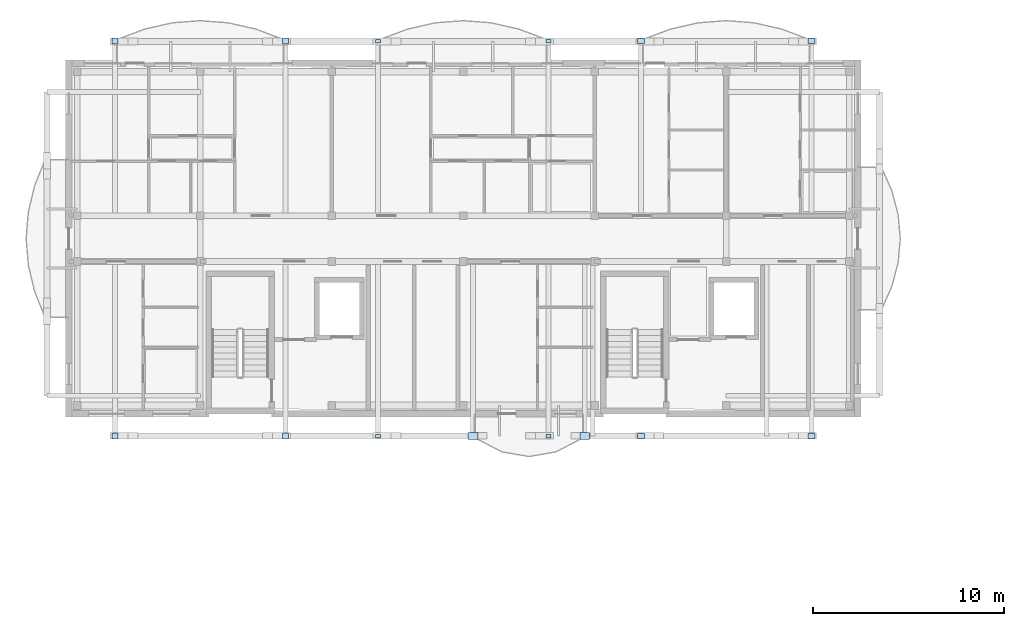
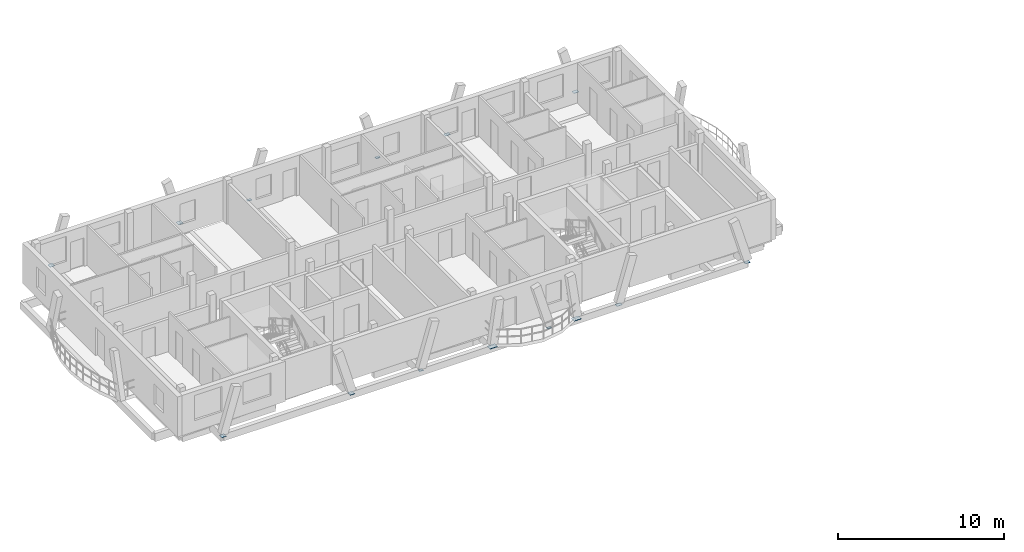
# One storey, part 8 of 29: 14 plates.
"""IFC4 building model written with IfcOpenShell, lengths in metres."""

from ifc_helpers import new_model, si_unit, direction, frame, origin, origin_2d, place, context, subcontext, project, spatial, rectangle, extrude, material, layer, layer_set, type_object, element, save


model = new_model("IFC4")

# Units and contexts
model_context = context("Model", 3, precision=1e-05, world=origin(), true_north=direction((0.0, 1.0)))
body_context = subcontext(model_context, "Body", "Model", "MODEL_VIEW")
ifc_project = project(units=[si_unit("LENGTHUNIT", "METRE"), si_unit("AREAUNIT", "SQUARE_METRE"), si_unit("VOLUMEUNIT", "CUBIC_METRE"), si_unit("PLANEANGLEUNIT", "RADIAN"), si_unit("MASSUNIT", "GRAM", prefix="KILO")], contexts=[model_context])

# Site, building, storey
site_placement = place(None, origin())
site = spatial("IfcSite", under=ifc_project, at=site_placement, CompositionType="ELEMENT")
building_placement = place(site_placement, origin())
building = spatial("IfcBuilding", under=site, at=building_placement, Name="Zavelmont Quarter", CompositionType="ELEMENT")
storey_placement = place(building_placement, frame((0.0, 0.0, 33.60009765625)))
storey = spatial("IfcBuildingStorey", under=building, at=storey_placement, Name="L10", CompositionType="ELEMENT", Elevation=33.60009765625)

# Plates
ifc_material = material(Name="Steel S355", Category="steel")
ifc_layer_1 = layer(ifc_material, 0.02001953125)
ifc_layer_set_1 = layer_set([ifc_layer_1], Name="Steel S355")
plate_type_1 = type_object("IfcPlateType", Name="NP01", PredefinedType="SHEET", material=ifc_layer_set_1)
for number, where, z_axis, x_axis, name in (
    (1, (16.2255859375, 117.162109375, -0.210205078125), (0.0, 0.0, 1.0), (1.0, 0.0, 0.0), "L10 steel connection plate NP01 at 3/S"),
    (2, (25.174560546875, 117.162109375, -0.210205078125), (0.0, 0.0, 1.0), (1.0, 0.0, 0.0), "L10 steel connection plate NP01 at 5/S"),
    (3, (16.2255859375, 96.43798828125, -0.210205078125), (0.0, 0.0, 1.0), (1.0, 0.0, 0.0), "L10 steel connection plate NP01 at 3/P"),
    (4, (25.174560546875, 96.43798828125, -0.210205078125), (0.0, 0.0, 1.0), (1.0, 0.0, 0.0), "L10 steel connection plate NP01 at 5/P"),
):
    element("IfcPlate", number, at=place(storey_placement, frame(where, z_axis=z_axis, x_axis=x_axis)), inside=storey, type_object=plate_type_1, Name=name, PredefinedType="SHEET", context=body_context, shape_type="SweptSolid", body=[
        extrude(rectangle(XDim=0.280029296875, YDim=0.179931640625, at=origin_2d()), origin(), (0.0, 0.0, 1.0), 0.02001953125),
    ])
ifc_layer_2 = layer(ifc_material, 0.02392578125)
ifc_layer_set_2 = layer_set([ifc_layer_2], Name="Steel S355")
plate_type_2 = type_object("IfcPlateType", Name="NP02", PredefinedType="SHEET", material=ifc_layer_set_2)
for number, where, z_axis, x_axis, name in (
    (5, (30.025390625, 117.162109375, -0.212158203125), (0.0, 0.0, 1.0), (1.0, 0.0, 0.0), "L10 steel connection plate NP02 at 5/S"),
    (6, (38.974609375, 117.162109375, -0.212158203125), (0.0, 0.0, 1.0), (1.0, 0.0, 0.0), "L10 steel connection plate NP02 at 7/S"),
    (7, (30.025390625, 96.43798828125, -0.212158203125), (0.0, 0.0, 1.0), (1.0, 0.0, 0.0), "L10 steel connection plate NP02 at 5/P"),
    (8, (38.974609375, 96.43798828125, -0.212158203125), (0.0, 0.0, 1.0), (1.0, 0.0, 0.0), "L10 steel connection plate NP02 at 7/P"),
):
    element("IfcPlate", number, at=place(storey_placement, frame(where, z_axis=z_axis, x_axis=x_axis)), inside=storey, type_object=plate_type_2, Name=name, PredefinedType="SHEET", context=body_context, shape_type="SweptSolid", body=[
        extrude(rectangle(XDim=0.360107421875, YDim=0.260009765625, at=origin_2d()), origin(), (0.0, 0.0, 1.0), 0.02392578125),
    ])
ifc_layer_3 = layer(ifc_material, 0.028076171875)
ifc_layer_set_3 = layer_set([ifc_layer_3], Name="Steel S355")
plate_type_3 = type_object("IfcPlateType", Name="NP04", PredefinedType="SHEET", material=ifc_layer_set_3)
for number, where, z_axis, x_axis, name in (
    (9, (21.219482421875, 96.43798828125, -0.21435546875), (0.0, 0.0, 1.0), (1.0, 0.0, 0.0), "L10 steel connection plate NP04 at 4/P"),
    (10, (27.080322265625, 96.43798828125, -0.21435546875), (0.0, 0.0, 1.0), (1.0, 0.0, 0.0), "L10 steel connection plate NP04 at 5/P"),
):
    element("IfcPlate", number, at=place(storey_placement, frame(where, z_axis=z_axis, x_axis=x_axis)), inside=storey, type_object=plate_type_3, Name=name, PredefinedType="SHEET", context=body_context, shape_type="SweptSolid", body=[
        extrude(rectangle(XDim=0.52001953125, YDim=0.360107421875, at=origin_2d()), origin(), (0.0, 0.0, 1.0), 0.028076171875),
    ])
ifc_layer_4 = layer(ifc_material, 0.02197265625)
ifc_layer_set_4 = layer_set([ifc_layer_4], Name="Steel S355")
plate_type_4 = type_object("IfcPlateType", Name="NP06", PredefinedType="SHEET", material=ifc_layer_set_4)
for number, where, z_axis, x_axis, name in (
    (11, (2.425537109375, 117.162109375, -0.211181640625), (0.0, 0.0, 1.0), (1.0, 0.0, 0.0), "L10 steel connection plate NP06 at 1/S"),
    (12, (11.37451171875, 117.162109375, -0.211181640625), (0.0, 0.0, 1.0), (1.0, 0.0, 0.0), "L10 steel connection plate NP06 at 3/S"),
    (13, (2.425537109375, 96.43798828125, -0.211181640625), (0.0, 0.0, 1.0), (1.0, 0.0, 0.0), "L10 steel connection plate NP06 at 1/P"),
    (14, (11.37451171875, 96.43798828125, -0.211181640625), (0.0, 0.0, 1.0), (1.0, 0.0, 0.0), "L10 steel connection plate NP06 at 3/P"),
):
    element("IfcPlate", number, at=place(storey_placement, frame(where, z_axis=z_axis, x_axis=x_axis)), inside=storey, type_object=plate_type_4, Name=name, PredefinedType="SHEET", context=body_context, shape_type="SweptSolid", body=[
        extrude(rectangle(XDim=0.320068359375, YDim=0.320068359375, at=origin_2d()), origin(), (0.0, 0.0, 1.0), 0.02197265625),
    ])

save(model, "model.ifc")
